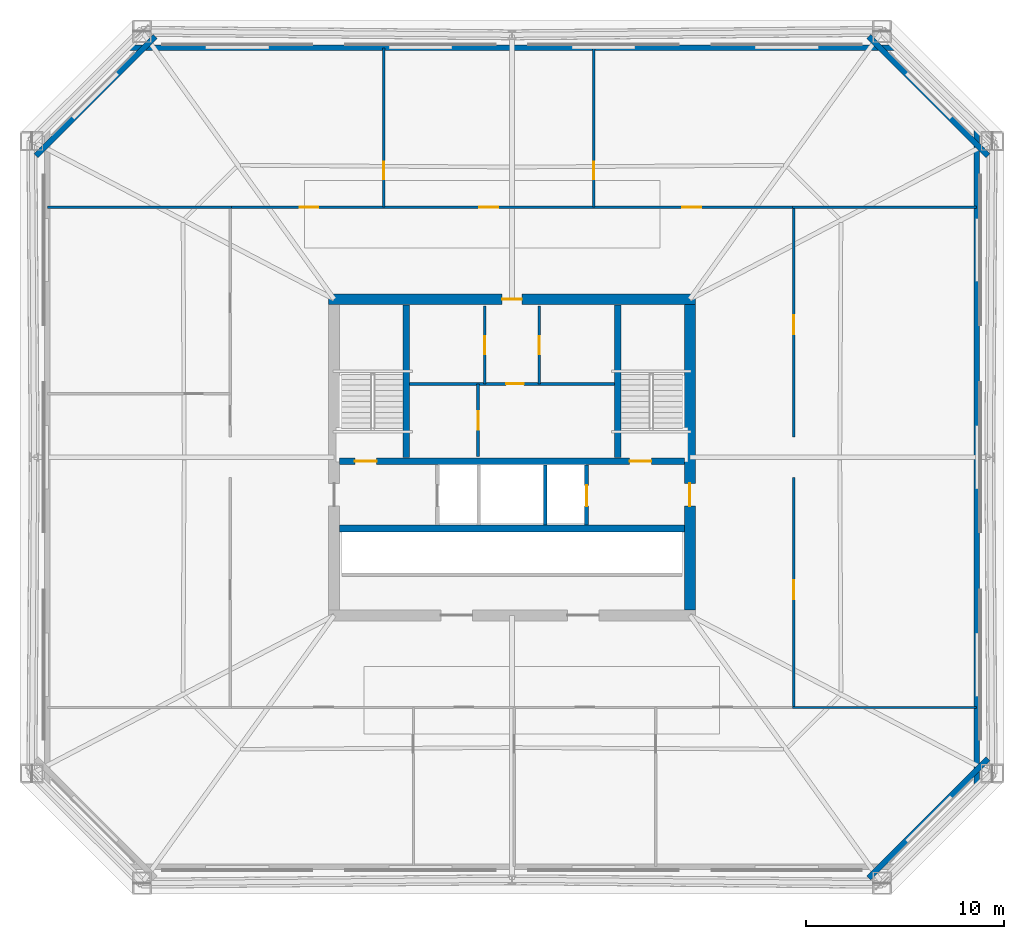
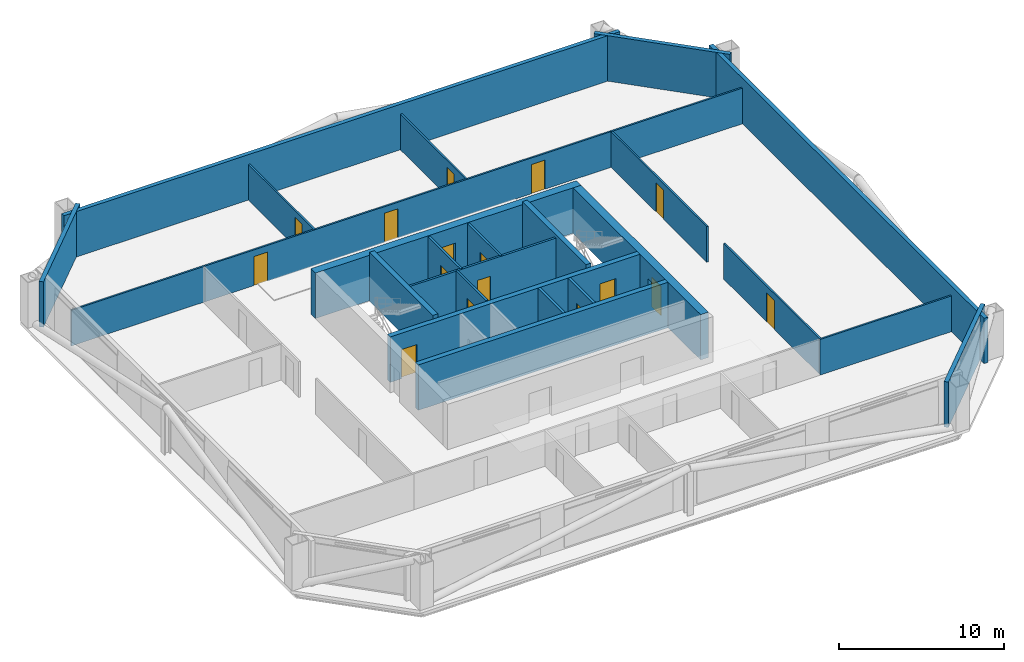
# One storey, part 3 of 6: 25 walls, 16 doors, 16 openings.
"""IFC4 building model written with IfcOpenShell, lengths in metres."""

from ifc_helpers import new_model, si_unit, direction, frame, frame_2d, origin, place, context, subcontext, project, spatial, rectangle, extrude, material, layer, layer_set, type_object, element, fill, save


model = new_model("IFC4")

# Units and contexts
model_context = context("Model", 3, precision=1e-05, world=origin(), true_north=direction((0.0, 1.0)))
body_context = subcontext(model_context, "Body", "Model", "MODEL_VIEW")
ifc_project = project(units=[si_unit("LENGTHUNIT", "METRE"), si_unit("AREAUNIT", "SQUARE_METRE"), si_unit("VOLUMEUNIT", "CUBIC_METRE"), si_unit("PLANEANGLEUNIT", "RADIAN"), si_unit("MASSUNIT", "GRAM", prefix="KILO")], contexts=[model_context])

# Site, building, storey
site_placement = place(None, origin())
site = spatial("IfcSite", under=ifc_project, at=site_placement, CompositionType="ELEMENT")
building_placement = place(site_placement, origin())
building = spatial("IfcBuilding", under=site, at=building_placement, Name="Caelvoria Tower", CompositionType="ELEMENT")
storey_placement = place(building_placement, frame((0.0, 0.0, 95.199951171875)))
storey = spatial("IfcBuildingStorey", under=building, at=storey_placement, Name="L24", CompositionType="ELEMENT", Elevation=95.199951171875)

# Wall, openings, doors
ifc_material_1 = material(Name="Concrete C50/60", Category="concrete")
ifc_layer_1 = layer(ifc_material_1, 0.35009765625, Name="Concrete C50/60")
ifc_layer_set_1 = layer_set([ifc_layer_1], Name="Core Internal Shear Wall 350 - Concrete C50/60")
wall_type_1 = type_object("IfcWallType", Name="Core Internal Shear Wall 350", PredefinedType="SHEAR", material=ifc_layer_set_1)
wall_1_placement = place(storey_placement, frame((37.27490234375, 31.800048828125, 0.0), z_axis=(0.0, 0.0, 1.0), x_axis=(1.0, 0.0, 0.0)))
wall_1 = element("IfcWall", 1, at=wall_1_placement, inside=storey, type_object=wall_type_1, Name="Core Shear Wall L24 M1", PredefinedType="SHEAR", context=body_context, shape_type="SweptSolid", body=[
    extrude(rectangle(XDim=17.4501953125, YDim=0.35009765625, at=frame_2d((8.72509765625, 0.0))), origin(), (0.0, 0.0, 1.0), 3.360107421875),
])
opening_1_placement = place(wall_1_placement, frame((0.77490234375, 0.0, 0.0)))
opening_1 = element("IfcOpeningElement", 2, at=opening_1_placement, cuts=wall_1, Name="Opening ID-01", PredefinedType="OPENING", context=body_context, shape_type="SweptSolid", body=[
    extrude(rectangle(XDim=1.10009765625, YDim=2.14990234375, at=frame_2d((0.550048828125, 1.074951171875))), frame((0.0, 0.18505859375, 0.0), z_axis=(0.0, -1.0, 0.0), x_axis=(1.0, 0.0, 0.0)), (0.0, 0.0, 1.0), 0.3701171875),
])
opening_2_placement = place(wall_1_placement, frame((14.675048828125, 0.0, 0.0)))
opening_2 = element("IfcOpeningElement", 3, at=opening_2_placement, cuts=wall_1, Name="Opening ID-01", PredefinedType="OPENING", context=body_context, shape_type="SweptSolid", body=[
    extrude(rectangle(XDim=1.10009765625, YDim=2.14990234375, at=frame_2d((0.550048828125, 1.074951171875))), frame((0.0, 0.18505859375, 0.0), z_axis=(0.0, -1.0, 0.0), x_axis=(1.0, 0.0, 0.0)), (0.0, 0.0, 1.0), 0.3701171875),
])
ifc_material_2 = material(Name="Painted Hollow Steel Fire Door", Category="steel")
door_type_1 = type_object("IfcDoorType", Name="Fire Door FD90S 1100x2150", OperationType="NOTDEFINED", PredefinedType="DOOR", material=ifc_material_2)
door_1_placement = place(opening_1_placement, origin())
door_1 = element("IfcDoor", 4, at=door_1_placement, inside=storey, type_object=door_type_1, Name="Core Door DR-L24-ST1", OperationType="SINGLE_SWING_LEFT", OverallHeight=2.14990234375, OverallWidth=1.10009765625, PredefinedType="DOOR", context=body_context, shape_type="SweptSolid", body=[
    extrude(rectangle(XDim=1.10009765625, YDim=2.14990234375, at=frame_2d((0.550048828125, 1.074951171875))), frame((0.0, 0.02490234375, 0.0), z_axis=(0.0, -1.0, 0.0), x_axis=(1.0, 0.0, 0.0)), (0.0, 0.0, 1.0), 0.050048828125),
])
fill(opening_1, door_1)
door_2_placement = place(opening_2_placement, origin())
door_2 = element("IfcDoor", 5, at=door_2_placement, inside=storey, type_object=door_type_1, Name="Core Door DR-L24-ST2", OperationType="SINGLE_SWING_RIGHT", OverallHeight=2.14990234375, OverallWidth=1.10009765625, PredefinedType="DOOR", context=body_context, shape_type="SweptSolid", body=[
    extrude(rectangle(XDim=1.10009765625, YDim=2.14990234375, at=frame_2d((0.550048828125, 1.074951171875))), frame((0.0, 0.02490234375, 0.0), z_axis=(0.0, -1.0, 0.0), x_axis=(1.0, 0.0, 0.0)), (0.0, 0.0, 1.0), 0.050048828125),
])
fill(opening_2, door_2)

# Walls
wall_2_placement = place(storey_placement, frame((37.27490234375, 28.39990234375, 0.0), z_axis=(0.0, 0.0, 1.0), x_axis=(1.0, 0.0, 0.0)))
element("IfcWall", 6, at=wall_2_placement, inside=storey, type_object=wall_type_1, Name="Core Shear Wall L24 M2", PredefinedType="SHEAR", context=body_context, shape_type="SweptSolid", body=[
    extrude(rectangle(XDim=17.4501953125, YDim=0.35009765625, at=frame_2d((8.72509765625, 0.0))), origin(), (0.0, 0.0, 1.0), 3.360107421875),
])
for number, where, z_axis, x_axis, name in (
    (7, (40.64990234375, 32.0, 0.0), (0.0, 0.0, 1.0), (0.0, 1.0, 0.0), "Interior Partition IW-L24-ST1E"),
    (8, (51.35009765625, 32.0, 0.0), (0.0, 0.0, 1.0), (0.0, 1.0, 0.0), "Interior Partition IW-L24-ST2W"),
):
    element("IfcWall", number, at=place(storey_placement, frame(where, z_axis=z_axis, x_axis=x_axis)), inside=storey, type_object=wall_type_1, Name=name, PredefinedType="SHEAR", context=body_context, shape_type="SweptSolid", body=[
        extrude(rectangle(XDim=7.699951171875, YDim=0.35009765625, at=frame_2d((3.85009765625, 0.0))), origin(), (0.0, 0.0, 1.0), 3.60009765625),
    ])

# Wall, opening, door
ifc_material_3 = material(Name="Double Gypsum Board on Steel Stud", Category="steel")
ifc_layer_2 = layer(ifc_material_3, 0.14990234375, Name="Double Gypsum Board on Steel Stud")
ifc_layer_set_2 = layer_set([ifc_layer_2], Name="Core Service Acoustic Partition Wall 150 - Double Gypsum Board on Steel Stud")
wall_type_2 = type_object("IfcWallType", Name="Core Service Acoustic Partition Wall 150", PredefinedType="PARTITIONING", material=ifc_layer_set_2)
wall_3_placement = place(storey_placement, frame((44.6201171875, 35.719970703125, 0.0), z_axis=(0.0, 0.0, 1.0), x_axis=(0.0, 1.0, 0.0)))
wall_3 = element("IfcWall", 9, at=wall_3_placement, inside=storey, type_object=wall_type_2, Name="Interior Partition IW-L24-C0L", PredefinedType="PARTITIONING", context=body_context, shape_type="SweptSolid", body=[
    extrude(rectangle(XDim=3.929931640625, YDim=0.14990234375, at=frame_2d((1.96484375, 0.0))), origin(), (0.0, 0.0, 1.0), 3.360107421875),
])
opening_3_placement = place(wall_3_placement, frame((1.5, 0.0, 0.0)))
opening_3 = element("IfcOpeningElement", 10, at=opening_3_placement, cuts=wall_3, Name="Opening ID-06", PredefinedType="OPENING", context=body_context, shape_type="SweptSolid", body=[
    extrude(rectangle(XDim=0.89990234375, YDim=2.14990234375, at=frame_2d((0.449951171875, 1.074951171875))), frame((0.0, 0.0849609375, 0.0), z_axis=(0.0, -1.0, 0.0), x_axis=(1.0, 0.0, 0.0)), (0.0, 0.0, 1.0), 0.169921875),
])
ifc_material_4 = material(Name="Engineered Andean Oak Veneer Door", Category="wood")
door_type_2 = type_object("IfcDoorType", Name="Interior Timber Door 900x2150", OperationType="NOTDEFINED", PredefinedType="DOOR", material=ifc_material_4)
door_3_placement = place(opening_3_placement, origin())
door_3 = element("IfcDoor", 11, at=door_3_placement, inside=storey, type_object=door_type_2, Name="Interior Door DR-L24-C01", OperationType="SINGLE_SWING_LEFT", OverallHeight=2.14990234375, OverallWidth=0.89990234375, PredefinedType="DOOR", context=body_context, shape_type="SweptSolid", body=[
    extrude(rectangle(XDim=0.89990234375, YDim=2.14990234375, at=frame_2d((0.449951171875, 1.074951171875))), frame((0.0, 0.02490234375, 0.0), z_axis=(0.0, -1.0, 0.0), x_axis=(1.0, 0.0, 0.0)), (0.0, 0.0, 1.0), 0.050048828125),
])
fill(opening_3, door_3)

wall_4_placement = place(storey_placement, frame((47.3798828125, 35.719970703125, 0.0), z_axis=(0.0, 0.0, 1.0), x_axis=(0.0, 1.0, 0.0)))
wall_4 = element("IfcWall", 12, at=wall_4_placement, inside=storey, type_object=wall_type_2, Name="Interior Partition IW-L24-C0R", PredefinedType="PARTITIONING", context=body_context, shape_type="SweptSolid", body=[
    extrude(rectangle(XDim=3.929931640625, YDim=0.14990234375, at=frame_2d((1.96484375, 0.0))), origin(), (0.0, 0.0, 1.0), 3.360107421875),
])
opening_4_placement = place(wall_4_placement, frame((1.5, 0.0, 0.0)))
opening_4 = element("IfcOpeningElement", 13, at=opening_4_placement, cuts=wall_4, Name="Opening ID-06", PredefinedType="OPENING", context=body_context, shape_type="SweptSolid", body=[
    extrude(rectangle(XDim=0.89990234375, YDim=2.14990234375, at=frame_2d((0.449951171875, 1.074951171875))), frame((0.0, 0.0849609375, 0.0), z_axis=(0.0, -1.0, 0.0), x_axis=(1.0, 0.0, 0.0)), (0.0, 0.0, 1.0), 0.169921875),
])
door_4_placement = place(opening_4_placement, origin())
door_4 = element("IfcDoor", 14, at=door_4_placement, inside=storey, type_object=door_type_2, Name="Interior Door DR-L24-C02", OperationType="SINGLE_SWING_RIGHT", OverallHeight=2.14990234375, OverallWidth=0.89990234375, PredefinedType="DOOR", context=body_context, shape_type="SweptSolid", body=[
    extrude(rectangle(XDim=0.89990234375, YDim=2.14990234375, at=frame_2d((0.449951171875, 1.074951171875))), frame((0.0, 0.02490234375, 0.0), z_axis=(0.0, -1.0, 0.0), x_axis=(1.0, 0.0, 0.0)), (0.0, 0.0, 1.0), 0.050048828125),
])
fill(opening_4, door_4)

wall_5_placement = place(storey_placement, frame((44.280029296875, 32.050048828125, 0.0), z_axis=(0.0, 0.0, 1.0), x_axis=(0.0, 1.0, 0.0)))
wall_5 = element("IfcWall", 15, at=wall_5_placement, inside=storey, type_object=wall_type_2, Name="Interior Partition IW-L24-C0M", PredefinedType="PARTITIONING", context=body_context, shape_type="SweptSolid", body=[
    extrude(rectangle(XDim=3.669921875, YDim=0.14990234375, at=frame_2d((1.8349609375, 0.0))), origin(), (0.0, 0.0, 1.0), 3.360107421875),
])
opening_5_placement = place(wall_5_placement, frame((1.35009765625, 0.0, 0.0)))
opening_5 = element("IfcOpeningElement", 16, at=opening_5_placement, cuts=wall_5, Name="Opening ID-07", PredefinedType="OPENING", context=body_context, shape_type="SweptSolid", body=[
    extrude(rectangle(XDim=0.919921875, YDim=2.14990234375, at=frame_2d((0.4599609375, 1.074951171875))), frame((0.0, 0.0849609375, 0.0), z_axis=(0.0, -1.0, 0.0), x_axis=(1.0, 0.0, 0.0)), (0.0, 0.0, 1.0), 0.169921875),
])
ifc_material_5 = material(Name="Engineered Andean Oak Accessible Door", Category="wood")
door_type_3 = type_object("IfcDoorType", Name="Accessible WC Door 950x2150", OperationType="NOTDEFINED", PredefinedType="DOOR", material=ifc_material_5)
door_5_placement = place(opening_5_placement, origin())
door_5 = element("IfcDoor", 17, at=door_5_placement, inside=storey, type_object=door_type_3, Name="Interior Door DR-L24-C05", OperationType="SINGLE_SWING_LEFT", OverallHeight=2.14990234375, OverallWidth=0.919921875, PredefinedType="DOOR", context=body_context, shape_type="SweptSolid", body=[
    extrude(rectangle(XDim=0.919921875, YDim=2.14990234375, at=frame_2d((0.4599609375, 1.074951171875))), frame((0.0, 0.02490234375, 0.0), z_axis=(0.0, -1.0, 0.0), x_axis=(1.0, 0.0, 0.0)), (0.0, 0.0, 1.0), 0.050048828125),
])
fill(opening_5, door_5)

wall_6_placement = place(storey_placement, frame((40.800048828125, 35.719970703125, 0.0), z_axis=(0.0, 0.0, 1.0), x_axis=(1.0, 0.0, 0.0)))
wall_6 = element("IfcWall", 18, at=wall_6_placement, inside=storey, type_object=wall_type_2, Name="Interior Partition IW-L24-C0H", PredefinedType="PARTITIONING", context=body_context, shape_type="SweptSolid", body=[
    extrude(rectangle(XDim=10.39990234375, YDim=0.14990234375, at=frame_2d((5.199951171875, 0.0))), origin(), (0.0, 0.0, 1.0), 3.360107421875),
])
opening_6_placement = place(wall_6_placement, frame((4.89990234375, 0.0, 0.0)))
opening_6 = element("IfcOpeningElement", 19, at=opening_6_placement, cuts=wall_6, Name="Opening ID-04", PredefinedType="OPENING", context=body_context, shape_type="SweptSolid", body=[
    extrude(rectangle(XDim=0.89990234375, YDim=2.14990234375, at=frame_2d((0.449951171875, 1.074951171875))), frame((0.0, 0.0849609375, 0.0), z_axis=(0.0, -1.0, 0.0), x_axis=(1.0, 0.0, 0.0)), (0.0, 0.0, 1.0), 0.169921875),
])
ifc_material_6 = material(Name="Acoustic Timber Fire Door", Category="wood")
door_type_4 = type_object("IfcDoorType", Name="Fire Door FD30S 900x2150", OperationType="NOTDEFINED", PredefinedType="DOOR", material=ifc_material_6)
door_6_placement = place(opening_6_placement, origin())
door_6 = element("IfcDoor", 20, at=door_6_placement, inside=storey, type_object=door_type_4, Name="Interior Door DR-L24-C04", OperationType="SINGLE_SWING_RIGHT", OverallHeight=2.14990234375, OverallWidth=0.89990234375, PredefinedType="DOOR", context=body_context, shape_type="SweptSolid", body=[
    extrude(rectangle(XDim=0.89990234375, YDim=2.14990234375, at=frame_2d((0.449951171875, 1.074951171875))), frame((0.0, 0.02490234375, 0.0), z_axis=(0.0, -1.0, 0.0), x_axis=(1.0, 0.0, 0.0)), (0.0, 0.0, 1.0), 0.050048828125),
])
fill(opening_6, door_6)

# Walls
ifc_material_7 = material(Name="Precast Concrete C40/50 with Bronze Cladding", Category="concrete")
ifc_layer_3 = layer(ifc_material_7, 0.280029296875, Name="Precast Concrete C40/50 with Bronze Cladding")
ifc_layer_set_3 = layer_set([ifc_layer_3], Name="Exterior Precast Concrete C40/50 Bronze-Clad Facade Wall 280 - Precast Concrete C40/50 with Bronze Cladding")
wall_type_3 = type_object("IfcWallType", Name="Exterior Precast Concrete C40/50 Bronze-Clad Facade Wall 280", PredefinedType="STANDARD", material=ifc_layer_set_3)
wall_7_placement = place(storey_placement, frame((64.054443359375, 10.7060546875, 0.0), z_axis=(0.0, 0.0, 1.0), x_axis=(0.707106781187, 0.707106781187, 0.0)))
element("IfcWall", 21, at=wall_7_placement, inside=storey, type_object=wall_type_3, Name="Exterior Facade Wall L24-E1", PredefinedType="STANDARD", context=body_context, shape_type="SweptSolid", body=[
    extrude(rectangle(XDim=8.541259765625, YDim=0.280029296875, at=frame_2d((4.2705078125, 0.0))), origin(), (0.0, 0.0, 1.0), 3.360107421875),
])
wall_8_placement = place(storey_placement, frame((69.52001953125, 15.360107421875, 0.0), z_axis=(0.0, 0.0, 1.0), x_axis=(0.0, 1.0, 0.0)))
element("IfcWall", 22, at=wall_8_placement, inside=storey, type_object=wall_type_3, Name="Exterior Facade Wall L24-E2", PredefinedType="STANDARD", context=body_context, shape_type="SweptSolid", body=[
    extrude(rectangle(XDim=33.27978515625, YDim=0.280029296875, at=frame_2d((16.639892578125, 0.0))), origin(), (0.0, 0.0, 1.0), 3.360107421875),
])
wall_9_placement = place(storey_placement, frame((70.093994140625, 47.25439453125, 0.0), z_axis=(0.0, 0.0, 1.0), x_axis=(-0.707106781187, 0.707106781187, 0.0)))
element("IfcWall", 23, at=wall_9_placement, inside=storey, type_object=wall_type_3, Name="Exterior Facade Wall L24-E3", PredefinedType="STANDARD", context=body_context, shape_type="SweptSolid", body=[
    extrude(rectangle(XDim=8.541259765625, YDim=0.280029296875, at=frame_2d((4.2705078125, 0.0))), origin(), (0.0, 0.0, 1.0), 3.360107421875),
])
wall_10_placement = place(storey_placement, frame((65.43994140625, 52.719970703125, 0.0), z_axis=(0.0, 0.0, 1.0), x_axis=(-1.0, 0.0, 0.0)))
element("IfcWall", 24, at=wall_10_placement, inside=storey, type_object=wall_type_3, Name="Exterior Facade Wall L24-E4", PredefinedType="STANDARD", context=body_context, shape_type="SweptSolid", body=[
    extrude(rectangle(XDim=38.8798828125, YDim=0.280029296875, at=frame_2d((19.43994140625, 0.0))), origin(), (0.0, 0.0, 1.0), 3.360107421875),
])
wall_11_placement = place(storey_placement, frame((27.945556640625, 53.2939453125, 0.0), z_axis=(0.0, 0.0, 1.0), x_axis=(-0.707106781187, -0.707106781187, 0.0)))
element("IfcWall", 25, at=wall_11_placement, inside=storey, type_object=wall_type_3, Name="Exterior Facade Wall L24-E5", PredefinedType="STANDARD", context=body_context, shape_type="SweptSolid", body=[
    extrude(rectangle(XDim=8.541259765625, YDim=0.280029296875, at=frame_2d((4.2705078125, 0.0))), origin(), (0.0, 0.0, 1.0), 3.360107421875),
])
ifc_material_8 = material(Name="Concrete Block and Fireboard Assembly", Category="concrete")
ifc_layer_4 = layer(ifc_material_8, 0.179931640625, Name="Concrete Block and Fireboard Assembly")
ifc_layer_set_4 = layer_set([ifc_layer_4], Name="Fire-Rated Hoistway Partition Wall 180 - Concrete Block and Fireboard Assembly")
wall_type_4 = type_object("IfcWallType", Name="Fire-Rated Hoistway Partition Wall 180", PredefinedType="PARTITIONING", material=ifc_layer_set_4)
wall_12_placement = place(storey_placement, frame((47.679931640625, 28.580078125, 0.0), z_axis=(0.0, 0.0, 1.0), x_axis=(0.0, 1.0, 0.0)))
element("IfcWall", 26, at=wall_12_placement, inside=storey, type_object=wall_type_4, Name="Interior Partition IW-L24-SV1E", PredefinedType="PARTITIONING", context=body_context, shape_type="SweptSolid", body=[
    extrude(rectangle(XDim=3.0400390625, YDim=0.179931640625, at=frame_2d((1.52001953125, 0.0))), origin(), (0.0, 0.0, 1.0), 3.360107421875),
])

# Wall, opening, door
ifc_layer_5 = layer(ifc_material_8, 0.199951171875, Name="Concrete Block and Fireboard Assembly")
ifc_layer_set_5 = layer_set([ifc_layer_5], Name="Fire-Rated Shaft and Core Partition Wall 200 - Concrete Block and Fireboard Assembly")
wall_type_5 = type_object("IfcWallType", Name="Fire-Rated Shaft and Core Partition Wall 200", PredefinedType="PARTITIONING", material=ifc_layer_set_5)
wall_13_placement = place(storey_placement, frame((49.780029296875, 28.580078125, 0.0), z_axis=(0.0, 0.0, 1.0), x_axis=(0.0, 1.0, 0.0)))
wall_13 = element("IfcWall", 27, at=wall_13_placement, inside=storey, type_object=wall_type_5, Name="Interior Partition IW-L24-LF2E", PredefinedType="PARTITIONING", context=body_context, shape_type="SweptSolid", body=[
    extrude(rectangle(XDim=3.0400390625, YDim=0.199951171875, at=frame_2d((1.52001953125, 0.0))), origin(), (0.0, 0.0, 1.0), 3.360107421875),
])
opening_7_placement = place(wall_13_placement, frame((0.949951171875, 0.0, 0.0)))
opening_7 = element("IfcOpeningElement", 28, at=opening_7_placement, cuts=wall_13, Name="Opening LD-01", PredefinedType="OPENING", context=body_context, shape_type="SweptSolid", body=[
    extrude(rectangle(XDim=1.050048828125, YDim=2.14990234375, at=frame_2d((0.52490234375, 1.074951171875))), frame((0.0, 0.10986328125, 0.0), z_axis=(0.0, -1.0, 0.0), x_axis=(1.0, 0.0, 0.0)), (0.0, 0.0, 1.0), 0.219970703125),
])
ifc_material_9 = material(Name="Brushed Bronze Stainless Sliding Landing Door", Category="aluminium")
door_type_5 = type_object("IfcDoorType", Name="Lift Landing Sliding Door 1100x2150", OperationType="NOTDEFINED", PredefinedType="DOOR", material=ifc_material_9)
door_7_placement = place(opening_7_placement, origin())
door_7 = element("IfcDoor", 29, at=door_7_placement, inside=storey, type_object=door_type_5, Name="Interior Door LD-L24-LF2", OperationType="SLIDING_TO_RIGHT", OverallHeight=2.14990234375, OverallWidth=1.050048828125, PredefinedType="DOOR", context=body_context, shape_type="SweptSolid", body=[
    extrude(rectangle(XDim=1.050048828125, YDim=2.14990234375, at=frame_2d((0.52490234375, 1.074951171875))), frame((0.0, 0.02490234375, 0.0), z_axis=(0.0, -1.0, 0.0), x_axis=(1.0, 0.0, 0.0)), (0.0, 0.0, 1.0), 0.050048828125),
])
fill(opening_7, door_7)

ifc_material_10 = material(Name="Concrete C55/67", Category="concrete")
ifc_layer_6 = layer(ifc_material_10, 0.550048828125, Name="Concrete C55/67")
ifc_layer_set_6 = layer_set([ifc_layer_6], Name="Mid Core Shear Wall 550 - Concrete C55/67")
wall_type_6 = type_object("IfcWallType", Name="Mid Core Shear Wall 550", PredefinedType="SHEAR", material=ifc_layer_set_6)
wall_14_placement = place(storey_placement, frame((36.72509765625, 40.0, 0.0), z_axis=(0.0, 0.0, 1.0), x_axis=(1.0, 0.0, 0.0)))
wall_14 = element("IfcWall", 30, at=wall_14_placement, inside=storey, type_object=wall_type_6, Name="Core Shear Wall L24 N", PredefinedType="SHEAR", context=body_context, shape_type="SweptSolid", body=[
    extrude(rectangle(XDim=18.5498046875, YDim=0.550048828125, at=frame_2d((9.27490234375, 0.0))), origin(), (0.0, 0.0, 1.0), 3.360107421875),
])
opening_8_placement = place(wall_14_placement, frame((8.77490234375, 0.0, 0.0)))
opening_8 = element("IfcOpeningElement", 31, at=opening_8_placement, cuts=wall_14, Name="Opening ID-03", PredefinedType="OPENING", context=body_context, shape_type="SweptSolid", body=[
    extrude(rectangle(XDim=1.0, YDim=2.14990234375, at=frame_2d((0.5, 1.074951171875))), frame((0.0, 0.284912109375, 0.0), z_axis=(0.0, -1.0, 0.0), x_axis=(1.0, 0.0, 0.0)), (0.0, 0.0, 1.0), 0.570068359375),
])
door_type_6 = type_object("IfcDoorType", Name="Fire Door FD60S 1000x2150", OperationType="NOTDEFINED", PredefinedType="DOOR", material=ifc_material_2)
door_8_placement = place(opening_8_placement, origin())
door_8 = element("IfcDoor", 32, at=door_8_placement, inside=storey, type_object=door_type_6, Name="Core Door DR-L24-WC-MAIN", OperationType="SINGLE_SWING_RIGHT", OverallHeight=2.14990234375, OverallWidth=1.0, PredefinedType="DOOR", context=body_context, shape_type="SweptSolid", body=[
    extrude(rectangle(XDim=1.0, YDim=2.14990234375, at=frame_2d((0.5, 1.074951171875))), frame((0.0, 0.02490234375, 0.0), z_axis=(0.0, -1.0, 0.0), x_axis=(1.0, 0.0, 0.0)), (0.0, 0.0, 1.0), 0.050048828125),
])
fill(opening_8, door_8)

wall_15_placement = place(storey_placement, frame((55.0, 24.27490234375, 0.0), z_axis=(0.0, 0.0, 1.0), x_axis=(0.0, 1.0, 0.0)))
wall_15 = element("IfcWall", 33, at=wall_15_placement, inside=storey, type_object=wall_type_6, Name="Core Shear Wall L24 E", PredefinedType="SHEAR", context=body_context, shape_type="SweptSolid", body=[
    extrude(rectangle(XDim=15.4501953125, YDim=0.550048828125, at=frame_2d((7.72509765625, 0.0))), origin(), (0.0, 0.0, 1.0), 3.360107421875),
])
opening_9_placement = place(wall_15_placement, frame((5.25, 0.0, 0.0)))
opening_9 = element("IfcOpeningElement", 34, at=opening_9_placement, cuts=wall_15, Name="Opening ID-02", PredefinedType="OPENING", context=body_context, shape_type="SweptSolid", body=[
    extrude(rectangle(XDim=1.14990234375, YDim=2.14990234375, at=frame_2d((0.574951171875, 1.074951171875))), frame((0.0, 0.284912109375, 0.0), z_axis=(0.0, -1.0, 0.0), x_axis=(1.0, 0.0, 0.0)), (0.0, 0.0, 1.0), 0.570068359375),
])
door_type_7 = type_object("IfcDoorType", Name="Fire Door FD60S 1150x2150", OperationType="NOTDEFINED", PredefinedType="DOOR", material=ifc_material_2)
door_9_placement = place(opening_9_placement, origin())
door_9 = element("IfcDoor", 35, at=door_9_placement, inside=storey, type_object=door_type_7, Name="Core Door DR-L24-FFLE-OUT", OperationType="SINGLE_SWING_RIGHT", OverallHeight=2.14990234375, OverallWidth=1.14990234375, PredefinedType="DOOR", context=body_context, shape_type="SweptSolid", body=[
    extrude(rectangle(XDim=1.14990234375, YDim=2.14990234375, at=frame_2d((0.574951171875, 1.074951171875))), frame((0.0, 0.02490234375, 0.0), z_axis=(0.0, -1.0, 0.0), x_axis=(1.0, 0.0, 0.0)), (0.0, 0.0, 1.0), 0.050048828125),
])
fill(opening_9, door_9)

ifc_material_11 = material(Name="Acoustic Gypsum Board on Light-Gauge Stud", Category="gypsum")
ifc_layer_7 = layer(ifc_material_11, 0.1201171875, Name="Acoustic Gypsum Board on Light-Gauge Stud")
ifc_layer_set_7 = layer_set([ifc_layer_7], Name="Tenant Suite Acoustic Partition Wall 120 - Acoustic Gypsum Board on Light-Gauge Stud")
wall_type_7 = type_object("IfcWallType", Name="Tenant Suite Acoustic Partition Wall 120", PredefinedType="PARTITIONING", material=ifc_layer_set_7)
wall_16_placement = place(storey_placement, frame((39.51416015625, 44.659912109375, 0.0), z_axis=(0.0, 0.0, 1.0), x_axis=(0.0, 1.0, 0.0)))
wall_16 = element("IfcWall", 36, at=wall_16_placement, inside=storey, type_object=wall_type_7, Name="Interior Partition IW-L24-ND-00-0", PredefinedType="PARTITIONING", context=body_context, shape_type="SweptSolid", body=[
    extrude(rectangle(XDim=8.06005859375, YDim=0.1201171875, at=frame_2d((4.030029296875, 0.0))), origin(), (0.0, 0.0, 1.0), 2.64013671875),
])
opening_10_placement = place(wall_16_placement, frame((1.39990234375, 0.0, 0.0)))
opening_10 = element("IfcOpeningElement", 37, at=opening_10_placement, cuts=wall_16, Name="Opening ID-06", PredefinedType="OPENING", context=body_context, shape_type="SweptSolid", body=[
    extrude(rectangle(XDim=0.89990234375, YDim=2.14990234375, at=frame_2d((0.449951171875, 1.074951171875))), frame((0.0, 0.070068359375, 0.0), z_axis=(0.0, -1.0, 0.0), x_axis=(1.0, 0.0, 0.0)), (0.0, 0.0, 1.0), 0.14013671875),
])
door_10_placement = place(opening_10_placement, origin())
door_10 = element("IfcDoor", 38, at=door_10_placement, inside=storey, type_object=door_type_2, Name="Interior Door DR-L24-NM-00-0", OperationType="SINGLE_SWING_RIGHT", OverallHeight=2.14990234375, OverallWidth=0.89990234375, PredefinedType="DOOR", context=body_context, shape_type="SweptSolid", body=[
    extrude(rectangle(XDim=0.89990234375, YDim=2.14990234375, at=frame_2d((0.449951171875, 1.074951171875))), frame((0.0, 0.02490234375, 0.0), z_axis=(0.0, -1.0, 0.0), x_axis=(1.0, 0.0, 0.0)), (0.0, 0.0, 1.0), 0.050048828125),
])
fill(opening_10, door_10)

wall_17_placement = place(storey_placement, frame((50.13671875, 44.659912109375, 0.0), z_axis=(0.0, 0.0, 1.0), x_axis=(0.0, 1.0, 0.0)))
wall_17 = element("IfcWall", 39, at=wall_17_placement, inside=storey, type_object=wall_type_7, Name="Interior Partition IW-L24-ND-01-0", PredefinedType="PARTITIONING", context=body_context, shape_type="SweptSolid", body=[
    extrude(rectangle(XDim=8.06005859375, YDim=0.1201171875, at=frame_2d((4.030029296875, 0.0))), origin(), (0.0, 0.0, 1.0), 2.64013671875),
])
opening_11_placement = place(wall_17_placement, frame((1.39990234375, 0.0, 0.0)))
opening_11 = element("IfcOpeningElement", 40, at=opening_11_placement, cuts=wall_17, Name="Opening ID-06", PredefinedType="OPENING", context=body_context, shape_type="SweptSolid", body=[
    extrude(rectangle(XDim=0.89990234375, YDim=2.14990234375, at=frame_2d((0.449951171875, 1.074951171875))), frame((0.0, 0.070068359375, 0.0), z_axis=(0.0, -1.0, 0.0), x_axis=(1.0, 0.0, 0.0)), (0.0, 0.0, 1.0), 0.14013671875),
])
door_11_placement = place(opening_11_placement, origin())
door_11 = element("IfcDoor", 41, at=door_11_placement, inside=storey, type_object=door_type_2, Name="Interior Door DR-L24-NM-01-0", OperationType="SINGLE_SWING_LEFT", OverallHeight=2.14990234375, OverallWidth=0.89990234375, PredefinedType="DOOR", context=body_context, shape_type="SweptSolid", body=[
    extrude(rectangle(XDim=0.89990234375, YDim=2.14990234375, at=frame_2d((0.449951171875, 1.074951171875))), frame((0.0, 0.02490234375, 0.0), z_axis=(0.0, -1.0, 0.0), x_axis=(1.0, 0.0, 0.0)), (0.0, 0.0, 1.0), 0.050048828125),
])
fill(opening_11, door_11)

# Wall, openings, doors
wall_18_placement = place(storey_placement, frame((31.800048828125, 44.659912109375, 0.0), z_axis=(0.0, 0.0, 1.0), x_axis=(1.0, 0.0, 0.0)))
wall_18 = element("IfcWall", 42, at=wall_18_placement, inside=storey, type_object=wall_type_7, Name="Interior Partition IW-L24-NCW-0", PredefinedType="PARTITIONING", context=body_context, shape_type="SweptSolid", body=[
    extrude(rectangle(XDim=28.39990234375, YDim=0.1201171875, at=frame_2d((14.199951171875, 0.0))), origin(), (0.0, 0.0, 1.0), 2.64013671875),
])
opening_12_placement = place(wall_18_placement, frame((3.451904296875, 0.0, 0.0)))
opening_12 = element("IfcOpeningElement", 43, at=opening_12_placement, cuts=wall_18, Name="Opening ID-05", PredefinedType="OPENING", context=body_context, shape_type="SweptSolid", body=[
    extrude(rectangle(XDim=0.949951171875, YDim=2.14990234375, at=frame_2d((0.47509765625, 1.074951171875))), frame((0.0, 0.070068359375, 0.0), z_axis=(0.0, -1.0, 0.0), x_axis=(1.0, 0.0, 0.0)), (0.0, 0.0, 1.0), 0.14013671875),
])
opening_13_placement = place(wall_18_placement, frame((12.550537109375, 0.0, 0.0)))
opening_13 = element("IfcOpeningElement", 44, at=opening_13_placement, cuts=wall_18, Name="Opening ID-05", PredefinedType="OPENING", context=body_context, shape_type="SweptSolid", body=[
    extrude(rectangle(XDim=0.949951171875, YDim=2.14990234375, at=frame_2d((0.47509765625, 1.074951171875))), frame((0.0, 0.070068359375, 0.0), z_axis=(0.0, -1.0, 0.0), x_axis=(1.0, 0.0, 0.0)), (0.0, 0.0, 1.0), 0.14013671875),
])
opening_14_placement = place(wall_18_placement, frame((22.823486328125, 0.0, 0.0)))
opening_14 = element("IfcOpeningElement", 45, at=opening_14_placement, cuts=wall_18, Name="Opening ID-05", PredefinedType="OPENING", context=body_context, shape_type="SweptSolid", body=[
    extrude(rectangle(XDim=0.949951171875, YDim=2.14990234375, at=frame_2d((0.47509765625, 1.074951171875))), frame((0.0, 0.070068359375, 0.0), z_axis=(0.0, -1.0, 0.0), x_axis=(1.0, 0.0, 0.0)), (0.0, 0.0, 1.0), 0.14013671875),
])
door_type_8 = type_object("IfcDoorType", Name="Interior Timber Door 950x2150", OperationType="NOTDEFINED", PredefinedType="DOOR", material=ifc_material_4)
door_12_placement = place(opening_12_placement, origin())
door_12 = element("IfcDoor", 46, at=door_12_placement, inside=storey, type_object=door_type_8, Name="Interior Door DR-L24-NC-00-0", OperationType="SINGLE_SWING_LEFT", OverallHeight=2.14990234375, OverallWidth=0.949951171875, PredefinedType="DOOR", context=body_context, shape_type="SweptSolid", body=[
    extrude(rectangle(XDim=0.949951171875, YDim=2.14990234375, at=frame_2d((0.47509765625, 1.074951171875))), frame((0.0, 0.02490234375, 0.0), z_axis=(0.0, -1.0, 0.0), x_axis=(1.0, 0.0, 0.0)), (0.0, 0.0, 1.0), 0.050048828125),
])
fill(opening_12, door_12)
door_13_placement = place(opening_13_placement, origin())
door_13 = element("IfcDoor", 47, at=door_13_placement, inside=storey, type_object=door_type_8, Name="Interior Door DR-L24-NC-01-0", OperationType="SINGLE_SWING_RIGHT", OverallHeight=2.14990234375, OverallWidth=0.949951171875, PredefinedType="DOOR", context=body_context, shape_type="SweptSolid", body=[
    extrude(rectangle(XDim=0.949951171875, YDim=2.14990234375, at=frame_2d((0.47509765625, 1.074951171875))), frame((0.0, 0.02490234375, 0.0), z_axis=(0.0, -1.0, 0.0), x_axis=(1.0, 0.0, 0.0)), (0.0, 0.0, 1.0), 0.050048828125),
])
fill(opening_13, door_13)
door_14_placement = place(opening_14_placement, origin())
door_14 = element("IfcDoor", 48, at=door_14_placement, inside=storey, type_object=door_type_8, Name="Interior Door DR-L24-NC-02-0", OperationType="SINGLE_SWING_LEFT", OverallHeight=2.14990234375, OverallWidth=0.949951171875, PredefinedType="DOOR", context=body_context, shape_type="SweptSolid", body=[
    extrude(rectangle(XDim=0.949951171875, YDim=2.14990234375, at=frame_2d((0.47509765625, 1.074951171875))), frame((0.0, 0.02490234375, 0.0), z_axis=(0.0, -1.0, 0.0), x_axis=(1.0, 0.0, 0.0)), (0.0, 0.0, 1.0), 0.050048828125),
])
fill(opening_14, door_14)

# Wall, opening, door
wall_19_placement = place(storey_placement, frame((60.260009765625, 19.39990234375, 0.0), z_axis=(0.0, 0.0, 1.0), x_axis=(0.0, 1.0, 0.0)))
wall_19 = element("IfcWall", 49, at=wall_19_placement, inside=storey, type_object=wall_type_7, Name="Interior Partition IW-L24-ECW-0", PredefinedType="PARTITIONING", context=body_context, shape_type="SweptSolid", body=[
    extrude(rectangle(XDim=11.580078125, YDim=0.1201171875, at=frame_2d((5.7900390625, 0.0))), origin(), (0.0, 0.0, 1.0), 2.64013671875),
])
opening_15_placement = place(wall_19_placement, frame((5.4150390625, 0.0, 0.0)))
opening_15 = element("IfcOpeningElement", 50, at=opening_15_placement, cuts=wall_19, Name="Opening ID-05", PredefinedType="OPENING", context=body_context, shape_type="SweptSolid", body=[
    extrude(rectangle(XDim=0.949951171875, YDim=2.14990234375, at=frame_2d((0.47509765625, 1.074951171875))), frame((0.0, 0.070068359375, 0.0), z_axis=(0.0, -1.0, 0.0), x_axis=(1.0, 0.0, 0.0)), (0.0, 0.0, 1.0), 0.14013671875),
])
door_15_placement = place(opening_15_placement, origin())
door_15 = element("IfcDoor", 51, at=door_15_placement, inside=storey, type_object=door_type_8, Name="Interior Door DR-L24-EC-00-1", OperationType="SINGLE_SWING_RIGHT", OverallHeight=2.14990234375, OverallWidth=0.949951171875, PredefinedType="DOOR", context=body_context, shape_type="SweptSolid", body=[
    extrude(rectangle(XDim=0.949951171875, YDim=2.14990234375, at=frame_2d((0.47509765625, 1.074951171875))), frame((0.0, 0.02490234375, 0.0), z_axis=(0.0, -1.0, 0.0), x_axis=(1.0, 0.0, 0.0)), (0.0, 0.0, 1.0), 0.050048828125),
])
fill(opening_15, door_15)

wall_20_placement = place(storey_placement, frame((60.260009765625, 33.02001953125, 0.0), z_axis=(0.0, 0.0, 1.0), x_axis=(0.0, 1.0, 0.0)))
wall_20 = element("IfcWall", 52, at=wall_20_placement, inside=storey, type_object=wall_type_7, Name="Interior Partition IW-L24-ECW-1", PredefinedType="PARTITIONING", context=body_context, shape_type="SweptSolid", body=[
    extrude(rectangle(XDim=11.580078125, YDim=0.1201171875, at=frame_2d((5.7900390625, 0.0))), origin(), (0.0, 0.0, 1.0), 2.64013671875),
])
opening_16_placement = place(wall_20_placement, frame((5.215087890625, 0.0, 0.0)))
opening_16 = element("IfcOpeningElement", 53, at=opening_16_placement, cuts=wall_20, Name="Opening ID-05", PredefinedType="OPENING", context=body_context, shape_type="SweptSolid", body=[
    extrude(rectangle(XDim=0.949951171875, YDim=2.14990234375, at=frame_2d((0.47509765625, 1.074951171875))), frame((0.0, 0.070068359375, 0.0), z_axis=(0.0, -1.0, 0.0), x_axis=(1.0, 0.0, 0.0)), (0.0, 0.0, 1.0), 0.14013671875),
])
door_16_placement = place(opening_16_placement, origin())
door_16 = element("IfcDoor", 54, at=door_16_placement, inside=storey, type_object=door_type_8, Name="Interior Door DR-L24-EC-00-0", OperationType="SINGLE_SWING_LEFT", OverallHeight=2.14990234375, OverallWidth=0.949951171875, PredefinedType="DOOR", context=body_context, shape_type="SweptSolid", body=[
    extrude(rectangle(XDim=0.949951171875, YDim=2.14990234375, at=frame_2d((0.47509765625, 1.074951171875))), frame((0.0, 0.02490234375, 0.0), z_axis=(0.0, -1.0, 0.0), x_axis=(1.0, 0.0, 0.0)), (0.0, 0.0, 1.0), 0.050048828125),
])
fill(opening_16, door_16)

# Walls
for number, where, z_axis, x_axis, name in (
    (55, (60.199951171875, 19.340087890625, 0.0), (0.0, 0.0, 1.0), (1.0, 0.0, 0.0), "Interior Partition IW-L24-BSE-0"),
    (56, (31.800048828125, 44.659912109375, 0.0), (0.0, 0.0, 1.0), (-1.0, 0.0, 0.0), "Interior Partition IW-L24-BNW-0"),
    (57, (60.199951171875, 44.659912109375, 0.0), (0.0, 0.0, 1.0), (1.0, 0.0, 0.0), "Interior Partition IW-L24-BNE-0"),
):
    element("IfcWall", number, at=place(storey_placement, frame(where, z_axis=z_axis, x_axis=x_axis)), inside=storey, type_object=wall_type_7, Name=name, PredefinedType="PARTITIONING", context=body_context, shape_type="SweptSolid", body=[
        extrude(rectangle(XDim=9.320068359375, YDim=0.1201171875, at=frame_2d((4.66015625, 0.0))), origin(), (0.0, 0.0, 1.0), 2.64013671875),
    ])

save(model, "model.ifc")
